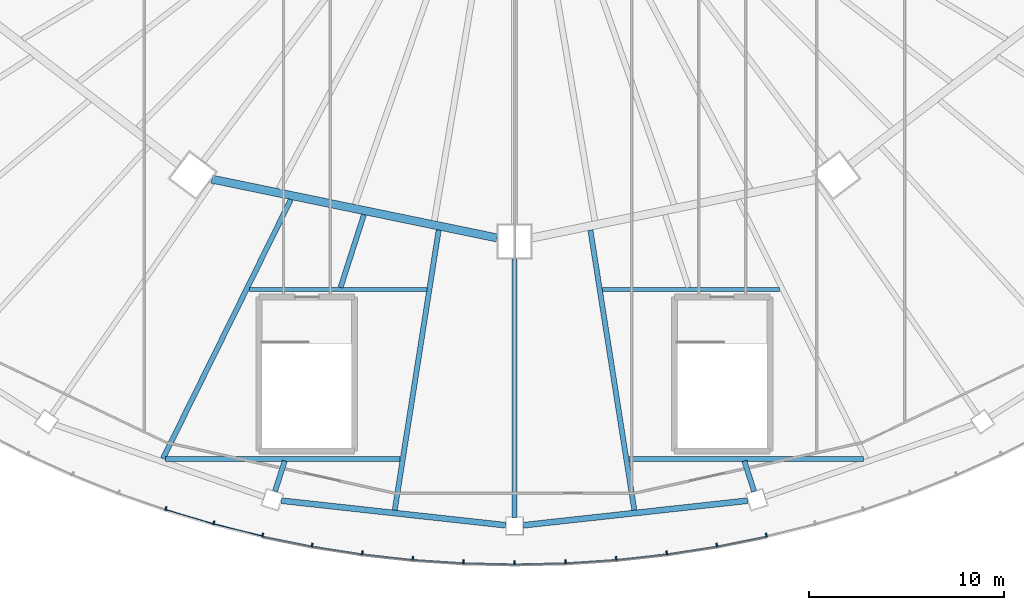
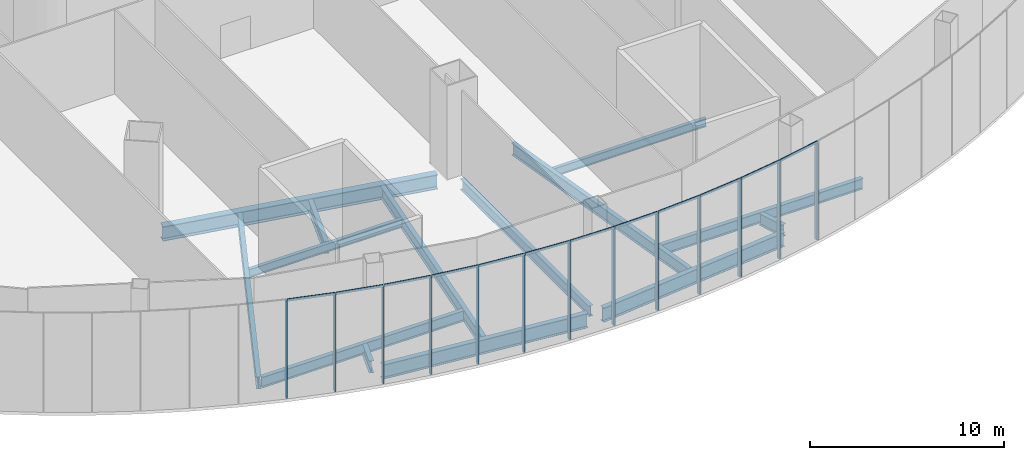
# One storey, part 4 of 33: 25 members, 14 beams, 4 elements without a shape of their own.
"""IFC4 building model written with IfcOpenShell, lengths in metres."""

from ifc_helpers import new_model, si_unit, direction, frame, origin, origin_2d, place, context, subcontext, project, spatial, rectangle, i_section, extrude, material, layer, layer_set, material_profile, profile_set, type_object, element, aggregate, save


model = new_model("IFC4")

# Units and contexts
model_context = context("Model", 3, precision=1e-05, world=origin(), true_north=direction((0.0, 1.0)))
body_context = subcontext(model_context, "Body", "Model", "MODEL_VIEW")
ifc_project = project(units=[si_unit("LENGTHUNIT", "METRE"), si_unit("AREAUNIT", "SQUARE_METRE"), si_unit("VOLUMEUNIT", "CUBIC_METRE"), si_unit("PLANEANGLEUNIT", "RADIAN"), si_unit("MASSUNIT", "GRAM", prefix="KILO")], contexts=[model_context])

# Site, building, storey
site_placement = place(None, origin())
site = spatial("IfcSite", under=ifc_project, at=site_placement, CompositionType="ELEMENT")
building_placement = place(site_placement, origin())
building = spatial("IfcBuilding", under=site, at=building_placement, Name="Sahrelin Media Tower", CompositionType="ELEMENT")
storey_placement = place(building_placement, frame((0.0, 0.0, 37.39990234375)))
storey = spatial("IfcBuildingStorey", under=building, at=storey_placement, Name="L05", CompositionType="ELEMENT", Elevation=37.39990234375)

# Beams
ifc_material_1 = material(Name="Steel S355", Category="steel")
ifc_material_profile_1 = material_profile(ifc_material_1, i_section(OverallWidth=0.208740234375, OverallDepth=0.5283203125, WebThickness=0.009521484375, FlangeThickness=0.01318359375, FilletRadius=0.0126953125, at=origin_2d()), Name="UB 533x210x82")
ifc_profile_set_1 = profile_set([ifc_material_profile_1], Name="Steel S355")
beam_type_1 = type_object("IfcBeamType", Name="Header beam HB6", PredefinedType="BEAM", material=ifc_profile_set_1)
for number, where, z_axis, x_axis, name in (
    (1, (-13.59814453125, -27.85009765625, -0.464111328125), (1.0, 0.0, 0.0), (0.0, 1.0, 0.0), "Header beam L05-05"),
    (2, (4.50146484375, -27.85009765625, -0.464111328125), (1.0, 0.0, 0.0), (0.0, 1.0, 0.0), "Header beam L05-07"),
):
    element("IfcBeam", number, at=place(storey_placement, frame(where, z_axis=z_axis, x_axis=x_axis)), inside=storey, type_object=beam_type_1, Name=name, PredefinedType="BEAM", context=body_context, shape_type="SweptSolid", body=[
        extrude(i_section(OverallWidth=0.208740234375, OverallDepth=0.5283203125, WebThickness=0.009521484375, FlangeThickness=0.01318359375, FilletRadius=0.0126953125, at=origin_2d()), origin(), (0.0, 0.0, 1.0), 9.0966796875),
    ])
ifc_material_profile_2 = material_profile(ifc_material_1, i_section(OverallWidth=0.2529296875, OverallDepth=0.677978515625, WebThickness=0.01171875, FlangeThickness=0.01611328125, FilletRadius=0.01513671875, at=origin_2d()), Name="UB 686x254x125")
ifc_profile_set_2 = profile_set([ifc_material_profile_2], Name="Steel S355")
beam_type_2 = type_object("IfcBeamType", Name="Header beam HB8", PredefinedType="BEAM", material=ifc_profile_set_2)
for number, where, z_axis, x_axis, name in (
    (3, (-5.86572265625, -36.550048828125, -0.538818359375), (-1.0, 0.0, 0.0), (0.0, -1.0, 0.0), "Header beam L05-06"),
    (4, (17.892333984375, -36.550048828125, -0.538818359375), (-1.0, 0.0, 0.0), (0.0, -1.0, 0.0), "Header beam L05-08"),
):
    element("IfcBeam", number, at=place(storey_placement, frame(where, z_axis=z_axis, x_axis=x_axis)), inside=storey, type_object=beam_type_2, Name=name, PredefinedType="BEAM", context=body_context, shape_type="SweptSolid", body=[
        extrude(i_section(OverallWidth=0.2529296875, OverallDepth=0.677978515625, WebThickness=0.01171875, FlangeThickness=0.01611328125, FilletRadius=0.01513671875, at=origin_2d()), origin(), (0.0, 0.0, 1.0), 12.026611328125),
    ])

# Curtain wall, members
ifc_material_2 = material(Name="Champagne anodised aluminium 6063-T6", Category="aluminium")
ifc_layer = layer(ifc_material_2, 0.14990234375)
ifc_layer_set = layer_set([ifc_layer], Name="Podium ribbon curtain wall")
curtain_wall_type = type_object("IfcCurtainWallType", Name="Podium ribbon curtain wall", PredefinedType="NOTDEFINED", material=ifc_layer_set)
curtain_wall_1_placement = place(storey_placement, frame((-25.0, -36.373046875, 0.0), z_axis=(0.0, 0.0, 1.0), x_axis=(1.0, 0.0, 0.0)))
curtain_wall_1 = element("IfcCurtainWall", 5, at=curtain_wall_1_placement, inside=storey, type_object=curtain_wall_type, Name="L05:CW:L05-P16", PredefinedType="NOTDEFINED")
ifc_material_profile_3 = material_profile(ifc_material_2, rectangle(XDim=0.080078125, YDim=0.199951171875, at=origin_2d()), Name="Mullion 80x200")
ifc_profile_set_3 = profile_set([ifc_material_profile_3], Name="Champagne anodised aluminium 6063-T6")
member_type_1 = type_object("IfcMemberType", Name="Mullion 80x200 CW5", PredefinedType="MULLION", material=ifc_profile_set_3)
member_1_placement = place(storey_placement, frame((-17.88427734375, -39.095458984375, 0.0), z_axis=(0.0, 0.0, 1.0), x_axis=(0.958494922328, -0.285109599754, 0.0)))
member_1 = element("IfcMember", 6, at=member_1_placement, type_object=member_type_1, Name="L05:CWM4:L05-P16", PredefinedType="MULLION", context=body_context, shape_type="SweptSolid", body=[
    extrude(rectangle(XDim=0.080078125, YDim=0.199951171875, at=origin_2d()), origin(), (0.0, 0.0, 1.0), 6.10009765625),
])
member_2_placement = place(storey_placement, frame((-15.421875, -39.827880859375, 0.0), z_axis=(0.0, 0.0, 1.0), x_axis=(0.970410464409, -0.241461240296, 0.0)))
member_2 = element("IfcMember", 7, at=member_2_placement, type_object=member_type_1, Name="L05:CWM5:L05-P16", PredefinedType="MULLION", context=body_context, shape_type="SweptSolid", body=[
    extrude(rectangle(XDim=0.080078125, YDim=0.199951171875, at=origin_2d()), origin(), (0.0, 0.0, 1.0), 6.10009765625),
])

curtain_wall_2_placement = place(storey_placement, frame((-12.94091796875, -40.56884765625, 0.0), z_axis=(0.0, 0.0, 1.0), x_axis=(1.0, 0.0, 0.0)))
curtain_wall_2 = element("IfcCurtainWall", 8, at=curtain_wall_2_placement, inside=storey, type_object=curtain_wall_type, Name="L05:CW:L05-P17", PredefinedType="NOTDEFINED")
member_3_placement = place(storey_placement, frame((-12.917236328125, -40.451416015625, 0.0), z_axis=(0.0, 0.0, 1.0), x_axis=(0.980267034681, -0.197677871087, 0.0)))
member_3 = element("IfcMember", 9, at=member_3_placement, type_object=member_type_1, Name="L05:CWM1:L05-P17", PredefinedType="MULLION", context=body_context, shape_type="SweptSolid", body=[
    extrude(rectangle(XDim=0.080078125, YDim=0.199951171875, at=origin_2d()), origin(), (0.0, 0.0, 1.0), 6.10009765625),
])
member_4_placement = place(storey_placement, frame((-10.377197265625, -40.963623046875, 0.0), z_axis=(0.0, 0.0, 1.0), x_axis=(0.988097990296, -0.15382575068, 0.0)))
member_4 = element("IfcMember", 10, at=member_4_placement, type_object=member_type_1, Name="L05:CWM2:L05-P17", PredefinedType="MULLION", context=body_context, shape_type="SweptSolid", body=[
    extrude(rectangle(XDim=0.080078125, YDim=0.199951171875, at=origin_2d()), origin(), (0.0, 0.0, 1.0), 6.10009765625),
])
member_5_placement = place(storey_placement, frame((-7.80859375, -41.363525390625, 0.0), z_axis=(0.0, 0.0, 1.0), x_axis=(0.993941020741, -0.109914727352, 0.0)))
member_5 = element("IfcMember", 11, at=member_5_placement, type_object=member_type_1, Name="L05:CWM3:L05-P17", PredefinedType="MULLION", context=body_context, shape_type="SweptSolid", body=[
    extrude(rectangle(XDim=0.080078125, YDim=0.199951171875, at=origin_2d()), origin(), (0.0, 0.0, 1.0), 6.10009765625),
])
member_6_placement = place(storey_placement, frame((-5.218505859375, -41.650146484375, 0.0), z_axis=(0.0, 0.0, 1.0), x_axis=(0.997822354733, -0.06595868703, 0.0)))
member_6 = element("IfcMember", 12, at=member_6_placement, type_object=member_type_1, Name="L05:CWM4:L05-P17", PredefinedType="MULLION", context=body_context, shape_type="SweptSolid", body=[
    extrude(rectangle(XDim=0.080078125, YDim=0.199951171875, at=origin_2d()), origin(), (0.0, 0.0, 1.0), 6.10009765625),
])
member_7_placement = place(storey_placement, frame((-2.6142578125, -41.822509765625, 0.0), z_axis=(0.0, 0.0, 1.0), x_axis=(0.999757820498, -0.022006825162, 0.0)))
member_7 = element("IfcMember", 13, at=member_7_placement, type_object=member_type_1, Name="L05:CWM5:L05-P17", PredefinedType="MULLION", context=body_context, shape_type="SweptSolid", body=[
    extrude(rectangle(XDim=0.080078125, YDim=0.199951171875, at=origin_2d()), origin(), (0.0, 0.0, 1.0), 6.10009765625),
])

curtain_wall_3_placement = place(storey_placement, frame((0.0, -42.0, 0.0), z_axis=(0.0, 0.0, 1.0), x_axis=(1.0, 0.0, 0.0)))
curtain_wall_3 = element("IfcCurtainWall", 14, at=curtain_wall_3_placement, inside=storey, type_object=curtain_wall_type, Name="L05:CW:L05-P18", PredefinedType="NOTDEFINED")
member_8_placement = place(storey_placement, frame((-0.002685546875, -41.8798828125, 0.0), z_axis=(0.0, 0.0, 1.0), x_axis=(0.999757820498, 0.022006825162, 0.0)))
member_8 = element("IfcMember", 15, at=member_8_placement, type_object=member_type_1, Name="L05:CWM1:L05-P18", PredefinedType="MULLION", context=body_context, shape_type="SweptSolid", body=[
    extrude(rectangle(XDim=0.080078125, YDim=0.199951171875, at=origin_2d()), origin(), (0.0, 0.0, 1.0), 6.10009765625),
])
member_9_placement = place(storey_placement, frame((2.60888671875, -41.82275390625, 0.0), z_axis=(0.0, 0.0, 1.0), x_axis=(0.997822354733, 0.06595868703, 0.0)))
member_9 = element("IfcMember", 16, at=member_9_placement, type_object=member_type_1, Name="L05:CWM2:L05-P18", PredefinedType="MULLION", context=body_context, shape_type="SweptSolid", body=[
    extrude(rectangle(XDim=0.080078125, YDim=0.199951171875, at=origin_2d()), origin(), (0.0, 0.0, 1.0), 6.10009765625),
])
member_10_placement = place(storey_placement, frame((5.213134765625, -41.650634765625, 0.0), z_axis=(0.0, 0.0, 1.0), x_axis=(0.993941020741, 0.109914727352, 0.0)))
member_10 = element("IfcMember", 17, at=member_10_placement, type_object=member_type_1, Name="L05:CWM3:L05-P18", PredefinedType="MULLION", context=body_context, shape_type="SweptSolid", body=[
    extrude(rectangle(XDim=0.080078125, YDim=0.199951171875, at=origin_2d()), origin(), (0.0, 0.0, 1.0), 6.10009765625),
])
member_11_placement = place(storey_placement, frame((7.80322265625, -41.3642578125, 0.0), z_axis=(0.0, 0.0, 1.0), x_axis=(0.988097990296, 0.15382575068, 0.0)))
member_11 = element("IfcMember", 18, at=member_11_placement, type_object=member_type_1, Name="L05:CWM4:L05-P18", PredefinedType="MULLION", context=body_context, shape_type="SweptSolid", body=[
    extrude(rectangle(XDim=0.080078125, YDim=0.199951171875, at=origin_2d()), origin(), (0.0, 0.0, 1.0), 6.10009765625),
])
member_12_placement = place(storey_placement, frame((10.371826171875, -40.964599609375, 0.0), z_axis=(0.0, 0.0, 1.0), x_axis=(0.980267034681, 0.197677871087, 0.0)))
member_12 = element("IfcMember", 19, at=member_12_placement, type_object=member_type_1, Name="L05:CWM5:L05-P18", PredefinedType="MULLION", context=body_context, shape_type="SweptSolid", body=[
    extrude(rectangle(XDim=0.080078125, YDim=0.199951171875, at=origin_2d()), origin(), (0.0, 0.0, 1.0), 6.10009765625),
])

# Curtain wall, member
curtain_wall_4_placement = place(storey_placement, frame((12.94091796875, -40.56884765625, 0.0), z_axis=(0.0, 0.0, 1.0), x_axis=(1.0, 0.0, 0.0)))
curtain_wall_4 = element("IfcCurtainWall", 20, at=curtain_wall_4_placement, inside=storey, type_object=curtain_wall_type, Name="L05:CW:L05-P19", PredefinedType="NOTDEFINED")
member_13_placement = place(storey_placement, frame((12.912109375, -40.452392578125, 0.0), z_axis=(0.0, 0.0, 1.0), x_axis=(0.970410464409, 0.241461240296, 0.0)))
member_13 = element("IfcMember", 21, at=member_13_placement, type_object=member_type_1, Name="L05:CWM1:L05-P19", PredefinedType="MULLION", context=body_context, shape_type="SweptSolid", body=[
    extrude(rectangle(XDim=0.080078125, YDim=0.199951171875, at=origin_2d()), origin(), (0.0, 0.0, 1.0), 6.10009765625),
])
aggregate(curtain_wall_4, [member_13])

# Beams
ifc_material_profile_4 = material_profile(ifc_material_1, i_section(OverallWidth=0.30322265625, OverallDepth=0.903076171875, WebThickness=0.01513671875, FlangeThickness=0.020263671875, FilletRadius=0.01904296875, at=origin_2d()), Name="UB 914x305x201")
ifc_profile_set_4 = profile_set([ifc_material_profile_4], Name="Steel S355")
beam_type_3 = type_object("IfcBeamType", Name="Podium edge girder PE11", PredefinedType="BEAM", material=ifc_profile_set_4)
for number, where, z_axis, x_axis, name in (
    (22, (-11.966796875, -38.68701171875, -0.6513671875), (0.994034160473, -0.109069188193, 0.0), (0.109069188193, 0.994034160473, 0.0), "Podium edge girder L05-18"),
    (23, (0.449951171875, -39.95068359375, -0.6513671875), (0.994034160473, 0.109069188193, 0.0), (-0.109069188193, 0.994034160473, 0.0), "Podium edge girder L05-19"),
):
    element("IfcBeam", number, at=place(storey_placement, frame(where, z_axis=z_axis, x_axis=x_axis)), inside=storey, type_object=beam_type_3, Name=name, PredefinedType="BEAM", context=body_context, shape_type="SweptSolid", body=[
        extrude(i_section(OverallWidth=0.30322265625, OverallDepth=0.903076171875, WebThickness=0.01513671875, FlangeThickness=0.020263671875, FilletRadius=0.01904296875, at=origin_2d()), origin(), (0.0, 0.0, 1.0), 11.5859375),
    ])
ifc_material_profile_5 = material_profile(ifc_material_1, i_section(OverallWidth=0.41845703125, OverallDepth=0.911865234375, WebThickness=0.019287109375, FlangeThickness=0.031982421875, FilletRadius=0.024169921875, at=origin_2d()), Name="UB 914x419x343")
ifc_profile_set_5 = profile_set([ifc_material_profile_5], Name="Steel S355")
beam_type_4 = type_object("IfcBeamType", Name="Podium ring girder PG12", PredefinedType="BEAM", material=ifc_profile_set_5)
beam_1_placement = place(storey_placement, frame((-15.525634765625, -22.197998046875, -0.65576171875), z_axis=(0.979388513106, -0.201985495508, 0.0), x_axis=(0.201985495508, 0.979388513106, 0.0)))
element("IfcBeam", 24, at=beam_1_placement, inside=storey, type_object=beam_type_4, Name="Podium girder L05-09", PredefinedType="BEAM", context=body_context, shape_type="SweptSolid", body=[
    extrude(i_section(OverallWidth=0.41845703125, OverallDepth=0.911865234375, WebThickness=0.019287109375, FlangeThickness=0.031982421875, FilletRadius=0.024169921875, at=origin_2d()), origin(), (0.0, 0.0, 1.0), 14.93359375),
])
ifc_material_profile_6 = material_profile(ifc_material_1, i_section(OverallWidth=0.2529296875, OverallDepth=0.677978515625, WebThickness=0.01171875, FlangeThickness=0.01611328125, FilletRadius=0.01513671875, at=origin_2d()), Name="UB 686x254x125")
ifc_profile_set_6 = profile_set([ifc_material_profile_6], Name="Steel S355")
beam_type_5 = type_object("IfcBeamType", Name="Radial primary beam PB8", PredefinedType="BEAM", material=ifc_profile_set_6)
beam_2_placement = place(storey_placement, frame((0.0, -26.300048828125, -0.538818359375), z_axis=(0.0, -1.0, 0.0), x_axis=(1.0, 0.0, 0.0)))
element("IfcBeam", 25, at=beam_2_placement, inside=storey, type_object=beam_type_5, Name="Radial beam L05-22", PredefinedType="BEAM", context=body_context, shape_type="SweptSolid", body=[
    extrude(i_section(OverallWidth=0.2529296875, OverallDepth=0.677978515625, WebThickness=0.01171875, FlangeThickness=0.01611328125, FilletRadius=0.01513671875, at=origin_2d()), origin(), (0.0, 0.0, 1.0), 13.25),
])
ifc_material_profile_7 = material_profile(ifc_material_1, i_section(OverallWidth=0.26513671875, OverallDepth=0.75390625, WebThickness=0.0126953125, FlangeThickness=0.017578125, FilletRadius=0.0166015625, at=origin_2d()), Name="UB 762x267x147")
ifc_profile_set_7 = profile_set([ifc_material_profile_7], Name="Steel S355")
beam_type_6 = type_object("IfcBeamType", Name="Radial primary beam PB9", PredefinedType="BEAM", material=ifc_profile_set_7)
beam_3_placement = place(storey_placement, frame((-7.7236328125, -24.020751953125, -0.576904296875), z_axis=(-0.30607575523, -0.952007159669, 0.0), x_axis=(0.952007159669, -0.30607575523, 0.0)))
element("IfcBeam", 26, at=beam_3_placement, inside=storey, type_object=beam_type_6, Name="Radial beam L05-20", PredefinedType="BEAM", context=body_context, shape_type="SweptSolid", body=[
    extrude(i_section(OverallWidth=0.26513671875, OverallDepth=0.75390625, WebThickness=0.0126953125, FlangeThickness=0.017578125, FilletRadius=0.0166015625, at=origin_2d()), origin(), (0.0, 0.0, 1.0), 3.917236328125),
])
for number, where, z_axis, x_axis, name in (
    (27, (-11.784423828125, -36.64990234375, -0.576904296875), (-0.306144333921, -0.951985108501, 0.0), (0.951985108501, -0.306144333921, 0.0), "Radial beam L05-21"),
    (28, (11.784423828125, -36.64990234375, -0.576904296875), (0.306144333921, -0.951985108501, 0.0), (0.951985108501, 0.306144333921, 0.0), "Radial beam L05-24"),
):
    element("IfcBeam", number, at=place(storey_placement, frame(where, z_axis=z_axis, x_axis=x_axis)), inside=storey, type_object=beam_type_6, Name=name, PredefinedType="BEAM", context=body_context, shape_type="SweptSolid", body=[
        extrude(i_section(OverallWidth=0.26513671875, OverallDepth=0.75390625, WebThickness=0.0126953125, FlangeThickness=0.017578125, FilletRadius=0.0166015625, at=origin_2d()), origin(), (0.0, 0.0, 1.0), 1.63720703125),
    ])
ifc_material_profile_8 = material_profile(ifc_material_1, i_section(OverallWidth=0.26513671875, OverallDepth=0.75390625, WebThickness=0.0126953125, FlangeThickness=0.017578125, FilletRadius=0.0166015625, at=origin_2d()), Name="UB 762x267x147")
ifc_profile_set_8 = profile_set([ifc_material_profile_8], Name="Steel S355")
beam_type_7 = type_object("IfcBeamType", Name="Radial secondary beam SB9", PredefinedType="BEAM", material=ifc_profile_set_8)
beam_4_placement = place(storey_placement, frame((-11.47412109375, -23.247314453125, -0.576904296875), z_axis=(-0.442602611298, -0.896717864477, 0.0), x_axis=(0.896717864477, -0.442602611298, 0.0)))
element("IfcBeam", 29, at=beam_4_placement, inside=storey, type_object=beam_type_7, Name="Secondary beam L05-17", PredefinedType="BEAM", context=body_context, shape_type="SweptSolid", body=[
    extrude(i_section(OverallWidth=0.26513671875, OverallDepth=0.75390625, WebThickness=0.0126953125, FlangeThickness=0.017578125, FilletRadius=0.0166015625, at=origin_2d()), origin(), (0.0, 0.0, 1.0), 14.8232421875),
])
for number, where, z_axis, x_axis, name in (
    (30, (-3.890869140625, -24.811279296875, -0.576904296875), (-0.154919883605, -0.987927036609, 0.0), (0.987927036609, -0.154919883605, 0.0), "Secondary beam L05-18"),
    (31, (3.890869140625, -24.811279296875, -0.576904296875), (0.154919883605, -0.987927036609, 0.0), (0.987927036609, 0.154919883605, 0.0), "Secondary beam L05-19"),
):
    element("IfcBeam", number, at=place(storey_placement, frame(where, z_axis=z_axis, x_axis=x_axis)), inside=storey, type_object=beam_type_7, Name=name, PredefinedType="BEAM", context=body_context, shape_type="SweptSolid", body=[
        extrude(i_section(OverallWidth=0.26513671875, OverallDepth=0.75390625, WebThickness=0.0126953125, FlangeThickness=0.017578125, FilletRadius=0.0166015625, at=origin_2d()), origin(), (0.0, 0.0, 1.0), 14.537841796875),
    ])

# Member
ifc_material_profile_9 = material_profile(ifc_material_2, rectangle(XDim=0.06005859375, YDim=0.14990234375, at=origin_2d()), Name="Transom 60x150")
ifc_profile_set_9 = profile_set([ifc_material_profile_9], Name="Champagne anodised aluminium 6063-T6")
member_type_2 = type_object("IfcMemberType", Name="Transom 60x150 CW5", PredefinedType="USERDEFINED", material=ifc_profile_set_9)
member_14_placement = place(storey_placement, frame((-17.856201171875, -39.1767578125, 6.175048828125), z_axis=(0.958497078849, -0.285102349758, 0.0), x_axis=(0.285102349758, 0.958497078849, 0.0)))
member_14 = element("IfcMember", 32, at=member_14_placement, type_object=member_type_2, Name="L05:CWT4a:L05-P16", ObjectType="TRANSOM", PredefinedType="USERDEFINED", context=body_context, shape_type="SweptSolid", body=[
    extrude(rectangle(XDim=0.06005859375, YDim=0.14990234375, at=origin_2d()), origin(), (0.0, 0.0, 1.0), 2.5244140625),
])

member_15_placement = place(storey_placement, frame((-15.39013671875, -39.907958984375, 6.175048828125), z_axis=(0.970396770558, -0.241516267963, 0.0), x_axis=(0.241516267963, 0.970396770558, 0.0)))
member_15 = element("IfcMember", 33, at=member_15_placement, type_object=member_type_2, Name="L05:CWT5a:L05-P16", ObjectType="TRANSOM", PredefinedType="USERDEFINED", context=body_context, shape_type="SweptSolid", body=[
    extrude(rectangle(XDim=0.06005859375, YDim=0.14990234375, at=origin_2d()), origin(), (0.0, 0.0, 1.0), 2.536376953125),
])

aggregate(curtain_wall_1, [member_1, member_14, member_2, member_15])

member_16_placement = place(storey_placement, frame((-12.882080078125, -40.52978515625, 6.175048828125), z_axis=(0.980266003838, -0.197682982877, 0.0), x_axis=(0.197682982877, 0.980266003838, 0.0)))
member_16 = element("IfcMember", 34, at=member_16_placement, type_object=member_type_2, Name="L05:CWT1a:L05-P17", ObjectType="TRANSOM", PredefinedType="USERDEFINED", context=body_context, shape_type="SweptSolid", body=[
    extrude(rectangle(XDim=0.06005859375, YDim=0.14990234375, at=origin_2d()), origin(), (0.0, 0.0, 1.0), 2.546630859375),
])

member_17_placement = place(storey_placement, frame((-10.33837890625, -41.04052734375, 6.175048828125), z_axis=(0.98809388136, -0.153852142069, 0.0), x_axis=(0.153852142069, 0.98809388136, 0.0)))
member_17 = element("IfcMember", 35, at=member_17_placement, type_object=member_type_2, Name="L05:CWT2a:L05-P17", ObjectType="TRANSOM", PredefinedType="USERDEFINED", context=body_context, shape_type="SweptSolid", body=[
    extrude(rectangle(XDim=0.06005859375, YDim=0.14990234375, at=origin_2d()), origin(), (0.0, 0.0, 1.0), 2.554931640625),
])

member_18_placement = place(storey_placement, frame((-7.7666015625, -41.438720703125, 6.175048828125), z_axis=(0.9939417213, -0.109908392122, 0.0), x_axis=(0.109908392122, 0.9939417213, 0.0)))
member_18 = element("IfcMember", 36, at=member_18_placement, type_object=member_type_2, Name="L05:CWT3a:L05-P17", ObjectType="TRANSOM", PredefinedType="USERDEFINED", context=body_context, shape_type="SweptSolid", body=[
    extrude(rectangle(XDim=0.06005859375, YDim=0.14990234375, at=origin_2d()), origin(), (0.0, 0.0, 1.0), 2.561279296875),
])

member_19_placement = place(storey_placement, frame((-5.173095703125, -41.723388671875, 6.175048828125), z_axis=(0.997822480178, -0.065956789275, 0.0), x_axis=(0.065956789275, 0.997822480178, 0.0)))
member_19 = element("IfcMember", 37, at=member_19_placement, type_object=member_type_2, Name="L05:CWT4a:L05-P17", ObjectType="TRANSOM", PredefinedType="USERDEFINED", context=body_context, shape_type="SweptSolid", body=[
    extrude(rectangle(XDim=0.06005859375, YDim=0.14990234375, at=origin_2d()), origin(), (0.0, 0.0, 1.0), 2.565185546875),
])

member_20_placement = place(storey_placement, frame((-2.565673828125, -41.8935546875, 6.175048828125), z_axis=(0.999758731389, -0.021965404884, 0.0), x_axis=(0.021965404884, 0.999758731389, 0.0)))
member_20 = element("IfcMember", 38, at=member_20_placement, type_object=member_type_2, Name="L05:CWT5a:L05-P17", ObjectType="TRANSOM", PredefinedType="USERDEFINED", context=body_context, shape_type="SweptSolid", body=[
    extrude(rectangle(XDim=0.06005859375, YDim=0.14990234375, at=origin_2d()), origin(), (0.0, 0.0, 1.0), 2.567626953125),
])

aggregate(curtain_wall_2, [member_3, member_16, member_4, member_17, member_5, member_18, member_6, member_19, member_7, member_20])

member_21_placement = place(storey_placement, frame((0.048828125, -41.948974609375, 6.175048828125), z_axis=(0.999756638726, 0.022060447041, 0.0), x_axis=(-0.022060447041, 0.999756638726, 0.0)))
member_21 = element("IfcMember", 39, at=member_21_placement, type_object=member_type_2, Name="L05:CWT1a:L05-P18", ObjectType="TRANSOM", PredefinedType="USERDEFINED", context=body_context, shape_type="SweptSolid", body=[
    extrude(rectangle(XDim=0.06005859375, YDim=0.14990234375, at=origin_2d()), origin(), (0.0, 0.0, 1.0), 2.567626953125),
])

member_22_placement = place(storey_placement, frame((2.663330078125, -41.88916015625, 6.175048828125), z_axis=(0.997822894162, 0.065950526052, 0.0), x_axis=(-0.065950526052, 0.997822894162, 0.0)))
member_22 = element("IfcMember", 40, at=member_22_placement, type_object=member_type_2, Name="L05:CWT2a:L05-P18", ObjectType="TRANSOM", PredefinedType="USERDEFINED", context=body_context, shape_type="SweptSolid", body=[
    extrude(rectangle(XDim=0.06005859375, YDim=0.14990234375, at=origin_2d()), origin(), (0.0, 0.0, 1.0), 2.5654296875),
])

member_23_placement = place(storey_placement, frame((5.2705078125, -41.714599609375, 6.175048828125), z_axis=(0.9939417213, 0.109908392122, 0.0), x_axis=(-0.109908392122, 0.9939417213, 0.0)))
member_23 = element("IfcMember", 41, at=member_23_placement, type_object=member_type_2, Name="L05:CWT3a:L05-P18", ObjectType="TRANSOM", PredefinedType="USERDEFINED", context=body_context, shape_type="SweptSolid", body=[
    extrude(rectangle(XDim=0.06005859375, YDim=0.14990234375, at=origin_2d()), origin(), (0.0, 0.0, 1.0), 2.561279296875),
])

member_24_placement = place(storey_placement, frame((7.86328125, -41.42578125, 6.175048828125), z_axis=(0.988096142999, 0.153837616307, 0.0), x_axis=(-0.153837616307, 0.988096142999, 0.0)))
member_24 = element("IfcMember", 42, at=member_24_placement, type_object=member_type_2, Name="L05:CWT4a:L05-P18", ObjectType="TRANSOM", PredefinedType="USERDEFINED", context=body_context, shape_type="SweptSolid", body=[
    extrude(rectangle(XDim=0.06005859375, YDim=0.14990234375, at=origin_2d()), origin(), (0.0, 0.0, 1.0), 2.55517578125),
])

member_25_placement = place(storey_placement, frame((10.434814453125, -41.023193359375, 6.175048828125), z_axis=(0.980284577643, 0.197590857166, 0.0), x_axis=(-0.197590857166, 0.980284577643, 0.0)))
member_25 = element("IfcMember", 43, at=member_25_placement, type_object=member_type_2, Name="L05:CWT5a:L05-P18", ObjectType="TRANSOM", PredefinedType="USERDEFINED", context=body_context, shape_type="SweptSolid", body=[
    extrude(rectangle(XDim=0.06005859375, YDim=0.14990234375, at=origin_2d()), origin(), (0.0, 0.0, 1.0), 2.546630859375),
])

aggregate(curtain_wall_3, [member_8, member_21, member_9, member_22, member_10, member_23, member_11, member_24, member_12, member_25])

save(model, "model.ifc")
